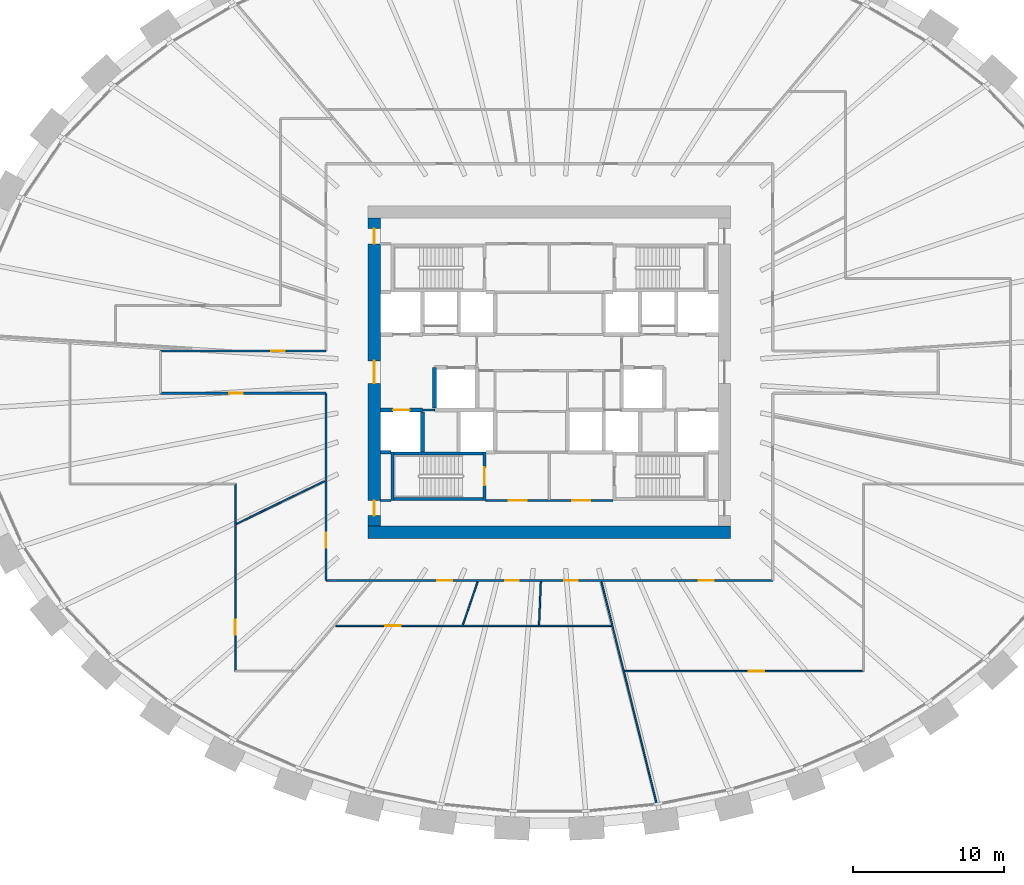
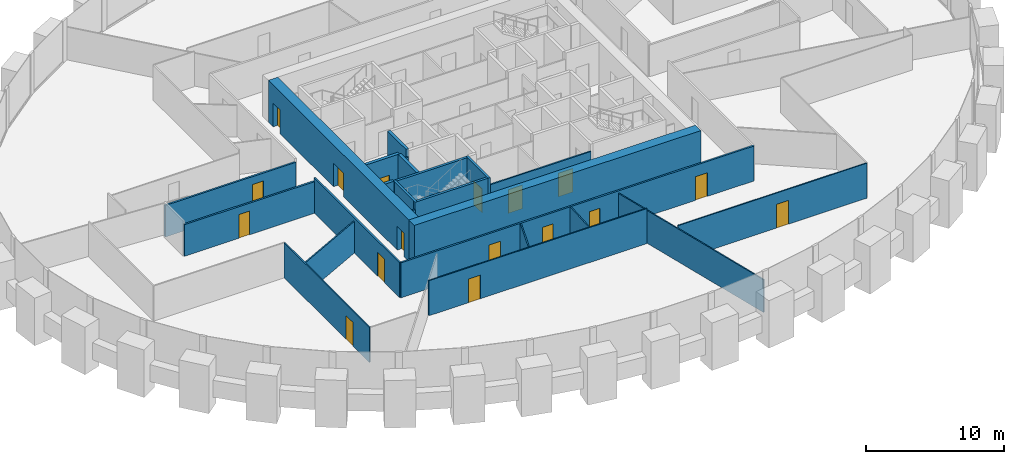
# One storey, part 6 of 11: 24 walls, 17 doors, 17 openings.
"""IFC4 building model written with IfcOpenShell, lengths in metres."""

from ifc_helpers import new_model, si_unit, direction, frame, frame_2d, origin, place, context, subcontext, project, spatial, rectangle, extrude, source, transform, mapped, material, layer, layer_set, type_object, element, fill, save


model = new_model("IFC4")

# Units and contexts
model_context = context("Model", 3, precision=1e-05, world=origin(), true_north=direction((0.0, 1.0)))
body_context = subcontext(model_context, "Body", "Model", "MODEL_VIEW")
ifc_project = project(units=[si_unit("LENGTHUNIT", "METRE"), si_unit("AREAUNIT", "SQUARE_METRE"), si_unit("VOLUMEUNIT", "CUBIC_METRE"), si_unit("PLANEANGLEUNIT", "RADIAN"), si_unit("MASSUNIT", "GRAM", prefix="KILO")], contexts=[model_context])

# Site, building, storey
site_placement = place(None, origin())
site = spatial("IfcSite", under=ifc_project, at=site_placement, CompositionType="ELEMENT")
building_placement = place(site_placement, origin())
building = spatial("IfcBuilding", under=site, at=building_placement, Name="Embergate Tower", CompositionType="ELEMENT")
storey_placement = place(building_placement, frame((0.0, 0.0, 132.0)))
storey = spatial("IfcBuildingStorey", under=building, at=storey_placement, Name="L28", CompositionType="ELEMENT", Elevation=132.0)

# Wall
ifc_material_1 = material(Name="Concrete C70", Category="concrete")
ifc_layer_1 = layer(ifc_material_1, 0.800048828125)
ifc_layer_set_1 = layer_set([ifc_layer_1], Name="Concrete C70")
wall_type_1 = type_object("IfcWallType", Name="Core outer wall C70 800", PredefinedType="SHEAR", material=ifc_layer_set_1)
shared_shape_1 = source(origin(), body_context, "Body", "SweptSolid", [
    extrude(rectangle(XDim=24.0, YDim=0.800048828125, at=frame_2d((12.0, 0.0))), origin(), (0.0, 0.0, 1.0), 3.699951171875),
])
wall_1_placement = place(storey_placement, frame((-12.0, -10.60009765625, 0.0), z_axis=(0.0, 0.0, 1.0), x_axis=(1.0, 0.0, 0.0)))
element("IfcWall", 1, at=wall_1_placement, inside=storey, type_object=wall_type_1, Name="CW-L28-S", PredefinedType="SHEAR", context=body_context, shape_type="MappedRepresentation", body=[
    mapped(shared_shape_1, transform((0.0, 0.0, 0.0))),
])

# Wall, openings, doors
shared_shape_2 = source(origin(), body_context, "Body", "SweptSolid", [
    extrude(rectangle(XDim=20.39990234375, YDim=0.800048828125, at=frame_2d((10.199951171875, 0.0))), origin(), (0.0, 0.0, 1.0), 3.699951171875),
])
wall_2_placement = place(storey_placement, frame((-11.60009765625, -10.199951171875, 0.0), z_axis=(0.0, 0.0, 1.0), x_axis=(0.0, 1.0, 0.0)))
wall_2 = element("IfcWall", 2, at=wall_2_placement, inside=storey, type_object=wall_type_1, Name="CW-L28-W", PredefinedType="SHEAR", context=body_context, shape_type="MappedRepresentation", body=[
    mapped(shared_shape_2, transform((0.0, 0.0, 0.0))),
])
shared_shape_3 = source(origin(), body_context, "Body", "SweptSolid", [
    extrude(rectangle(XDim=1.0, YDim=2.10009765625, at=frame_2d((0.5, 1.050048828125))), frame((0.0, 0.409912109375, 0.0), z_axis=(0.0, -1.0, 0.0), x_axis=(1.0, 0.0, 0.0)), (0.0, 0.0, 1.0), 0.820068359375),
])
opening_1_placement = place(wall_2_placement, frame((18.699951171875, 0.0, 0.0)))
opening_1 = element("IfcOpeningElement", 3, at=opening_1_placement, cuts=wall_2, Name="Opening IF-1d", PredefinedType="OPENING", context=body_context, shape_type="MappedRepresentation", body=[
    mapped(shared_shape_3, transform((0.0, 0.0, 0.0))),
])
opening_2_placement = place(wall_2_placement, frame((0.699951171875, 0.0, 0.0)))
opening_2 = element("IfcOpeningElement", 4, at=opening_2_placement, cuts=wall_2, Name="Opening IF-1d", PredefinedType="OPENING", context=body_context, shape_type="MappedRepresentation", body=[
    mapped(shared_shape_3, transform((0.0, 0.0, 0.0))),
])
shared_shape_4 = source(origin(), body_context, "Body", "SweptSolid", [
    extrude(rectangle(XDim=1.5, YDim=2.10009765625, at=frame_2d((0.75, 1.050048828125))), frame((0.0, 0.409912109375, 0.0), z_axis=(0.0, -1.0, 0.0), x_axis=(1.0, 0.0, 0.0)), (0.0, 0.0, 1.0), 0.820068359375),
])
opening_3_placement = place(wall_2_placement, frame((9.449951171875, 0.0, 0.0)))
opening_3 = element("IfcOpeningElement", 5, at=opening_3_placement, cuts=wall_2, Name="Opening IF-3", PredefinedType="OPENING", context=body_context, shape_type="MappedRepresentation", body=[
    mapped(shared_shape_4, transform((0.0, 0.0, 0.0))),
])
ifc_material_2 = material(Name="Lobby fire door pair 1500")
door_type_1 = type_object("IfcDoorType", Name="Lobby fire door pair 1500", OperationType="DOUBLE_DOOR_SINGLE_SWING", PredefinedType="DOOR", material=ifc_material_2)
shared_shape_5 = source(origin(), body_context, "Body", "SweptSolid", [
    extrude(rectangle(XDim=1.5, YDim=2.10009765625, at=frame_2d((0.75, 1.050048828125))), frame((0.0, 0.02490234375, 0.0), z_axis=(0.0, -1.0, 0.0), x_axis=(1.0, 0.0, 0.0)), (0.0, 0.0, 1.0), 0.050048828125),
])
door_1_placement = place(opening_3_placement, origin())
door_1 = element("IfcDoor", 6, at=door_1_placement, inside=storey, type_object=door_type_1, Name="IF-3 door", OperationType="DOUBLE_DOOR_SINGLE_SWING", OverallHeight=2.10009765625, OverallWidth=1.5, PredefinedType="DOOR", context=body_context, shape_type="MappedRepresentation", body=[
    mapped(shared_shape_5, transform((0.0, 0.0, 0.0))),
])
fill(opening_3, door_1)
ifc_material_3 = material(Name="Escape fire door 1000")
door_type_2 = type_object("IfcDoorType", Name="Escape fire door 1000", OperationType="SINGLE_SWING_LEFT", PredefinedType="DOOR", material=ifc_material_3)
shared_shape_6 = source(origin(), body_context, "Body", "SweptSolid", [
    extrude(rectangle(XDim=1.0, YDim=2.10009765625, at=frame_2d((0.5, 1.050048828125))), frame((0.0, 0.02490234375, 0.0), z_axis=(0.0, -1.0, 0.0), x_axis=(1.0, 0.0, 0.0)), (0.0, 0.0, 1.0), 0.050048828125),
])
door_2_placement = place(opening_1_placement, origin())
door_2 = element("IfcDoor", 7, at=door_2_placement, inside=storey, type_object=door_type_2, Name="IF-1 door", OperationType="SINGLE_SWING_RIGHT", OverallHeight=2.10009765625, OverallWidth=1.0, PredefinedType="DOOR", context=body_context, shape_type="MappedRepresentation", body=[
    mapped(shared_shape_6, transform((0.0, 0.0, 0.0))),
])
fill(opening_1, door_2)
door_3_placement = place(opening_2_placement, origin())
door_3 = element("IfcDoor", 8, at=door_3_placement, inside=storey, type_object=door_type_2, Name="IF-1 door", OperationType="SINGLE_SWING_LEFT", OverallHeight=2.10009765625, OverallWidth=1.0, PredefinedType="DOOR", context=body_context, shape_type="MappedRepresentation", body=[
    mapped(shared_shape_6, transform((0.0, 0.0, 0.0))),
])
fill(opening_2, door_3)

# Walls
ifc_material_4 = material(Name="Concrete C50", Category="concrete")
ifc_layer_2 = layer(ifc_material_4, 0.25)
ifc_layer_set_2 = layer_set([ifc_layer_2], Name="Concrete C50")
wall_type_2 = type_object("IfcWallType", Name="Hoistway wall reinforced concrete 250", PredefinedType="SHEAR", material=ifc_layer_set_2)
shared_shape_7 = source(origin(), body_context, "Body", "SweptSolid", [
    extrude(rectangle(XDim=2.675048828125, YDim=0.25, at=frame_2d((1.33740234375, 0.0))), origin(), (0.0, 0.0, 1.0), 3.699951171875),
])
wall_3_placement = place(storey_placement, frame((-7.60009765625, 0.300048828125, 0.0), z_axis=(0.0, 0.0, 1.0), x_axis=(0.0, -1.0, 0.0)))
element("IfcWall", 9, at=wall_3_placement, inside=storey, type_object=wall_type_2, Name="HW-1 wall", PredefinedType="SHEAR", context=body_context, shape_type="MappedRepresentation", body=[
    mapped(shared_shape_7, transform((0.0, 0.0, 0.0))),
])
ifc_layer_3 = layer(ifc_material_4, 0.199951171875)
ifc_layer_set_3 = layer_set([ifc_layer_3], Name="Concrete C50")
wall_type_3 = type_object("IfcWallType", Name="Stair enclosure wall reinforced concrete 250", PredefinedType="SHEAR", material=ifc_layer_set_3)
shared_shape_8 = source(origin(), body_context, "Body", "SweptSolid", [
    extrude(rectangle(XDim=6.300048828125, YDim=0.199951171875, at=frame_2d((3.14990234375, 0.0))), origin(), (0.0, 0.0, 1.0), 3.699951171875),
])
for number, where, z_axis, x_axis, name in (
    (10, (-10.5, -5.39990234375, 0.0), (0.0, 0.0, 1.0), (1.0, 0.0, 0.0), "SE-1 wall"),
    (11, (-10.5, -8.39990234375, 0.0), (0.0, 0.0, 1.0), (1.0, 0.0, 0.0), "SE-1 wall"),
):
    element("IfcWall", number, at=place(storey_placement, frame(where, z_axis=z_axis, x_axis=x_axis)), inside=storey, type_object=wall_type_3, Name=name, PredefinedType="SHEAR", context=body_context, shape_type="MappedRepresentation", body=[
        mapped(shared_shape_8, transform((0.0, 0.0, 0.0))),
    ])

# Wall, opening, door
shared_shape_9 = source(origin(), body_context, "Body", "SweptSolid", [
    extrude(rectangle(XDim=3.199951171875, YDim=0.199951171875, at=frame_2d((1.60009765625, 0.0))), origin(), (0.0, 0.0, 1.0), 3.699951171875),
])
wall_4_placement = place(storey_placement, frame((-4.300048828125, -8.5, 0.0), z_axis=(0.0, 0.0, 1.0), x_axis=(0.0, 1.0, 0.0)))
wall_4 = element("IfcWall", 12, at=wall_4_placement, inside=storey, type_object=wall_type_3, Name="SE-1 wall", PredefinedType="SHEAR", context=body_context, shape_type="MappedRepresentation", body=[
    mapped(shared_shape_9, transform((0.0, 0.0, 0.0))),
])
shared_shape_10 = source(origin(), body_context, "Body", "SweptSolid", [
    extrude(rectangle(XDim=1.199951171875, YDim=2.10009765625, at=frame_2d((0.60009765625, 1.050048828125))), frame((0.0, 0.10986328125, 0.0), z_axis=(0.0, -1.0, 0.0), x_axis=(1.0, 0.0, 0.0)), (0.0, 0.0, 1.0), 0.219970703125),
])
opening_4_placement = place(wall_4_placement, frame((1.0, 0.0, 0.0)))
opening_4 = element("IfcOpeningElement", 13, at=opening_4_placement, cuts=wall_4, Name="Opening IF-2", PredefinedType="OPENING", context=body_context, shape_type="MappedRepresentation", body=[
    mapped(shared_shape_10, transform((0.0, 0.0, 0.0))),
])
ifc_material_5 = material(Name="Stair enclosure door 1200")
door_type_3 = type_object("IfcDoorType", Name="Stair enclosure door 1200", OperationType="SINGLE_SWING_LEFT", PredefinedType="DOOR", material=ifc_material_5)
shared_shape_11 = source(origin(), body_context, "Body", "SweptSolid", [
    extrude(rectangle(XDim=1.199951171875, YDim=2.10009765625, at=frame_2d((0.60009765625, 1.050048828125))), frame((0.0, 0.02490234375, 0.0), z_axis=(0.0, -1.0, 0.0), x_axis=(1.0, 0.0, 0.0)), (0.0, 0.0, 1.0), 0.050048828125),
])
door_4_placement = place(opening_4_placement, origin())
door_4 = element("IfcDoor", 14, at=door_4_placement, inside=storey, type_object=door_type_3, Name="IF-2 door", OperationType="SINGLE_SWING_LEFT", OverallHeight=2.10009765625, OverallWidth=1.199951171875, PredefinedType="DOOR", context=body_context, shape_type="MappedRepresentation", body=[
    mapped(shared_shape_11, transform((0.0, 0.0, 0.0))),
])
fill(opening_4, door_4)

# Wall, openings, doors
ifc_material_6 = material(Name="Core partition blockwork 120")
ifc_layer_4 = layer(ifc_material_6, 0.1201171875)
ifc_layer_set_4 = layer_set([ifc_layer_4], Name="Core partition blockwork 120")
wall_type_4 = type_object("IfcWallType", Name="Core partition blockwork 120", PredefinedType="PARTITIONING", material=ifc_layer_set_4)
shared_shape_12 = source(origin(), body_context, "Body", "SweptSolid", [
    extrude(rectangle(XDim=8.39990234375, YDim=0.1201171875, at=frame_2d((4.199951171875, 0.0))), origin(), (0.0, 0.0, 1.0), 3.10009765625),
])
wall_5_placement = place(storey_placement, frame((-4.199951171875, -8.5, 0.0), z_axis=(0.0, 0.0, 1.0), x_axis=(1.0, 0.0, 0.0)))
wall_5 = element("IfcWall", 15, at=wall_5_placement, inside=storey, type_object=wall_type_4, Name="IP-3 wall", PredefinedType="PARTITIONING", context=body_context, shape_type="MappedRepresentation", body=[
    mapped(shared_shape_12, transform((0.0, 0.0, 0.0))),
])
shared_shape_13 = source(origin(), body_context, "Body", "SweptSolid", [
    extrude(rectangle(XDim=1.199951171875, YDim=2.10009765625, at=frame_2d((0.60009765625, 1.050048828125))), frame((0.0, 0.070068359375, 0.0), z_axis=(0.0, -1.0, 0.0), x_axis=(1.0, 0.0, 0.0)), (0.0, 0.0, 1.0), 0.14013671875),
])
opening_5_placement = place(wall_5_placement, frame((1.5, 0.0, 0.0)))
opening_5 = element("IfcOpeningElement", 16, at=opening_5_placement, cuts=wall_5, Name="Opening IF-3f", PredefinedType="OPENING", context=body_context, shape_type="MappedRepresentation", body=[
    mapped(shared_shape_13, transform((0.0, 0.0, 0.0))),
])
opening_6_placement = place(wall_5_placement, frame((5.699951171875, 0.0, 0.0)))
opening_6 = element("IfcOpeningElement", 17, at=opening_6_placement, cuts=wall_5, Name="Opening IF-3f", PredefinedType="OPENING", context=body_context, shape_type="MappedRepresentation", body=[
    mapped(shared_shape_13, transform((0.0, 0.0, 0.0))),
])
ifc_material_7 = material(Name="Lobby fire door pair 1200")
door_type_4 = type_object("IfcDoorType", Name="Lobby fire door pair 1200", OperationType="DOUBLE_DOOR_SINGLE_SWING", PredefinedType="DOOR", material=ifc_material_7)
door_5_placement = place(opening_5_placement, origin())
door_5 = element("IfcDoor", 18, at=door_5_placement, inside=storey, type_object=door_type_4, Name="IF-3 door", OperationType="DOUBLE_DOOR_SINGLE_SWING", OverallHeight=2.10009765625, OverallWidth=1.199951171875, PredefinedType="DOOR", context=body_context, shape_type="MappedRepresentation", body=[
    mapped(shared_shape_11, transform((0.0, 0.0, 0.0))),
])
fill(opening_5, door_5)
door_6_placement = place(opening_6_placement, origin())
door_6 = element("IfcDoor", 19, at=door_6_placement, inside=storey, type_object=door_type_4, Name="IF-3 door", OperationType="DOUBLE_DOOR_SINGLE_SWING", OverallHeight=2.10009765625, OverallWidth=1.199951171875, PredefinedType="DOOR", context=body_context, shape_type="MappedRepresentation", body=[
    mapped(shared_shape_11, transform((0.0, 0.0, 0.0))),
])
fill(opening_6, door_6)

ifc_material_8 = material(Name="Corridor wall dry-lined 150")
ifc_layer_5 = layer(ifc_material_8, 0.14990234375)
ifc_layer_set_5 = layer_set([ifc_layer_5], Name="Corridor wall dry-lined 150")
wall_type_5 = type_object("IfcWallType", Name="Corridor wall dry-lined 150", PredefinedType="PARTITIONING", material=ifc_layer_set_5)
shared_shape_14 = source(origin(), body_context, "Body", "SweptSolid", [
    extrude(rectangle(XDim=29.60009765625, YDim=0.14990234375, at=frame_2d((14.800048828125, 0.0))), origin(), (0.0, 0.0, 1.0), 3.10009765625),
])
wall_6_placement = place(storey_placement, frame((14.800048828125, -13.800048828125, 0.0), z_axis=(0.0, 0.0, 1.0), x_axis=(-1.0, 0.0, 0.0)))
wall_6 = element("IfcWall", 20, at=wall_6_placement, inside=storey, type_object=wall_type_5, Name="IP-2 wall", PredefinedType="PARTITIONING", context=body_context, shape_type="MappedRepresentation", body=[
    mapped(shared_shape_14, transform((0.0, 0.0, 0.0))),
])
shared_shape_15 = source(origin(), body_context, "Body", "SweptSolid", [
    extrude(rectangle(XDim=1.0, YDim=2.10009765625, at=frame_2d((0.5, 1.050048828125))), frame((0.0, 0.0849609375, 0.0), z_axis=(0.0, -1.0, 0.0), x_axis=(1.0, 0.0, 0.0)), (0.0, 0.0, 1.0), 0.169921875),
])
opening_7_placement = place(wall_6_placement, frame((21.22900390625, 0.0, 0.0)))
opening_7 = element("IfcOpeningElement", 21, at=opening_7_placement, cuts=wall_6, Name="Opening ID-2", PredefinedType="OPENING", context=body_context, shape_type="MappedRepresentation", body=[
    mapped(shared_shape_15, transform((0.0, 0.0, 0.0))),
])
shared_shape_16 = source(origin(), body_context, "Body", "SweptSolid", [
    extrude(rectangle(XDim=0.89990234375, YDim=2.10009765625, at=frame_2d((0.449951171875, 1.050048828125))), frame((0.0, 0.0849609375, 0.0), z_axis=(0.0, -1.0, 0.0), x_axis=(1.0, 0.0, 0.0)), (0.0, 0.0, 1.0), 0.169921875),
])
opening_8_placement = place(wall_6_placement, frame((16.8349609375, 0.0, 0.0)))
opening_8 = element("IfcOpeningElement", 22, at=opening_8_placement, cuts=wall_6, Name="Opening IF-1c", PredefinedType="OPENING", context=body_context, shape_type="MappedRepresentation", body=[
    mapped(shared_shape_16, transform((0.0, 0.0, 0.0))),
])
opening_9_placement = place(wall_6_placement, frame((12.9169921875, 0.0, 0.0)))
opening_9 = element("IfcOpeningElement", 23, at=opening_9_placement, cuts=wall_6, Name="Opening IF-1c", PredefinedType="OPENING", context=body_context, shape_type="MappedRepresentation", body=[
    mapped(shared_shape_16, transform((0.0, 0.0, 0.0))),
])
opening_10_placement = place(wall_6_placement, frame((3.9150390625, 0.0, 0.0)))
opening_10 = element("IfcOpeningElement", 24, at=opening_10_placement, cuts=wall_6, Name="Opening ID-2", PredefinedType="OPENING", context=body_context, shape_type="MappedRepresentation", body=[
    mapped(shared_shape_15, transform((0.0, 0.0, 0.0))),
])
ifc_material_9 = material(Name="Escape fire door 900")
door_type_5 = type_object("IfcDoorType", Name="Escape fire door 900", OperationType="SINGLE_SWING_LEFT", PredefinedType="DOOR", material=ifc_material_9)
shared_shape_17 = source(origin(), body_context, "Body", "SweptSolid", [
    extrude(rectangle(XDim=0.89990234375, YDim=2.10009765625, at=frame_2d((0.449951171875, 1.050048828125))), frame((0.0, 0.02490234375, 0.0), z_axis=(0.0, -1.0, 0.0), x_axis=(1.0, 0.0, 0.0)), (0.0, 0.0, 1.0), 0.050048828125),
])
door_7_placement = place(opening_8_placement, origin())
door_7 = element("IfcDoor", 25, at=door_7_placement, inside=storey, type_object=door_type_5, Name="IF-1 door", OperationType="SINGLE_SWING_LEFT", OverallHeight=2.10009765625, OverallWidth=0.89990234375, PredefinedType="DOOR", context=body_context, shape_type="MappedRepresentation", body=[
    mapped(shared_shape_17, transform((0.0, 0.0, 0.0))),
])
fill(opening_8, door_7)
door_8_placement = place(opening_9_placement, origin())
door_8 = element("IfcDoor", 26, at=door_8_placement, inside=storey, type_object=door_type_5, Name="IF-1 door", OperationType="SINGLE_SWING_RIGHT", OverallHeight=2.10009765625, OverallWidth=0.89990234375, PredefinedType="DOOR", context=body_context, shape_type="MappedRepresentation", body=[
    mapped(shared_shape_17, transform((0.0, 0.0, 0.0))),
])
fill(opening_9, door_8)
ifc_material_10 = material(Name="Interior door 1000")
door_type_6 = type_object("IfcDoorType", Name="Interior door 1000", OperationType="SINGLE_SWING_LEFT", PredefinedType="DOOR", material=ifc_material_10)
door_9_placement = place(opening_7_placement, origin())
door_9 = element("IfcDoor", 27, at=door_9_placement, inside=storey, type_object=door_type_6, Name="ID-2 door", OperationType="SINGLE_SWING_LEFT", OverallHeight=2.10009765625, OverallWidth=1.0, PredefinedType="DOOR", context=body_context, shape_type="MappedRepresentation", body=[
    mapped(shared_shape_6, transform((0.0, 0.0, 0.0))),
])
fill(opening_7, door_9)
door_10_placement = place(opening_10_placement, origin())
door_10 = element("IfcDoor", 28, at=door_10_placement, inside=storey, type_object=door_type_6, Name="ID-2 door", OperationType="SINGLE_SWING_LEFT", OverallHeight=2.10009765625, OverallWidth=1.0, PredefinedType="DOOR", context=body_context, shape_type="MappedRepresentation", body=[
    mapped(shared_shape_6, transform((0.0, 0.0, 0.0))),
])
fill(opening_10, door_10)

# Wall, opening, door
shared_shape_18 = source(origin(), body_context, "Body", "SweptSolid", [
    extrude(rectangle(XDim=12.400146484375, YDim=0.14990234375, at=frame_2d((6.2001953125, 0.0))), origin(), (0.0, 0.0, 1.0), 3.10009765625),
])
wall_7_placement = place(storey_placement, frame((-14.800048828125, -1.39990234375, 0.0), z_axis=(0.0, 0.0, 1.0), x_axis=(0.0, -1.0, 0.0)))
wall_7 = element("IfcWall", 29, at=wall_7_placement, inside=storey, type_object=wall_type_5, Name="IP-2 wall", PredefinedType="PARTITIONING", context=body_context, shape_type="MappedRepresentation", body=[
    mapped(shared_shape_18, transform((0.0, 0.0, 0.0))),
])
opening_11_placement = place(wall_7_placement, frame((9.240966796875, 0.0, 0.0)))
opening_11 = element("IfcOpeningElement", 30, at=opening_11_placement, cuts=wall_7, Name="Opening ID-2", PredefinedType="OPENING", context=body_context, shape_type="MappedRepresentation", body=[
    mapped(shared_shape_15, transform((0.0, 0.0, 0.0))),
])
door_11_placement = place(opening_11_placement, origin())
door_11 = element("IfcDoor", 31, at=door_11_placement, inside=storey, type_object=door_type_6, Name="ID-2 door", OperationType="SINGLE_SWING_LEFT", OverallHeight=2.10009765625, OverallWidth=1.0, PredefinedType="DOOR", context=body_context, shape_type="MappedRepresentation", body=[
    mapped(shared_shape_6, transform((0.0, 0.0, 0.0))),
])
fill(opening_11, door_11)

ifc_material_11 = material(Name="Corridor wall dry-lined 150 wet")
ifc_layer_6 = layer(ifc_material_11, 0.14990234375)
ifc_layer_set_6 = layer_set([ifc_layer_6], Name="Corridor wall dry-lined 150 wet")
wall_type_6 = type_object("IfcWallType", Name="Corridor wall dry-lined 150 wet", PredefinedType="PLUMBINGWALL", material=ifc_layer_set_6)
shared_shape_19 = source(origin(), body_context, "Body", "SweptSolid", [
    extrude(rectangle(XDim=10.949951171875, YDim=0.14990234375, at=frame_2d((5.47509765625, 0.0))), origin(), (0.0, 0.0, 1.0), 2.800048828125),
])
wall_8_placement = place(storey_placement, frame((-14.800048828125, 1.39990234375, 0.0), z_axis=(0.0, 0.0, 1.0), x_axis=(-1.0, 0.0, 0.0)))
wall_8 = element("IfcWall", 32, at=wall_8_placement, inside=storey, type_object=wall_type_6, Name="IP-2 wall", PredefinedType="PLUMBINGWALL", context=body_context, shape_type="MappedRepresentation", body=[
    mapped(shared_shape_19, transform((0.0, 0.0, 0.0))),
])
opening_12_placement = place(wall_8_placement, frame((2.72607421875, 0.0, 0.0)))
opening_12 = element("IfcOpeningElement", 33, at=opening_12_placement, cuts=wall_8, Name="Opening IF-1c", PredefinedType="OPENING", context=body_context, shape_type="MappedRepresentation", body=[
    mapped(shared_shape_16, transform((0.0, 0.0, 0.0))),
])
door_12_placement = place(opening_12_placement, origin())
door_12 = element("IfcDoor", 34, at=door_12_placement, inside=storey, type_object=door_type_5, Name="IF-1 door", OperationType="SINGLE_SWING_RIGHT", OverallHeight=2.10009765625, OverallWidth=0.89990234375, PredefinedType="DOOR", context=body_context, shape_type="MappedRepresentation", body=[
    mapped(shared_shape_17, transform((0.0, 0.0, 0.0))),
])
fill(opening_12, door_12)

wall_9_placement = place(storey_placement, frame((-25.75, -1.39990234375, 0.0), z_axis=(0.0, 0.0, 1.0), x_axis=(1.0, 0.0, 0.0)))
wall_9 = element("IfcWall", 35, at=wall_9_placement, inside=storey, type_object=wall_type_5, Name="IP-2 wall", PredefinedType="PARTITIONING", context=body_context, shape_type="MappedRepresentation", body=[
    mapped(shared_shape_19, transform((0.0, 0.0, 0.0))),
])
opening_13_placement = place(wall_9_placement, frame((4.552001953125, 0.0, 0.0)))
opening_13 = element("IfcOpeningElement", 36, at=opening_13_placement, cuts=wall_9, Name="Opening IF-1c", PredefinedType="OPENING", context=body_context, shape_type="MappedRepresentation", body=[
    mapped(shared_shape_16, transform((0.0, 0.0, 0.0))),
])
door_13_placement = place(opening_13_placement, origin())
door_13 = element("IfcDoor", 37, at=door_13_placement, inside=storey, type_object=door_type_5, Name="IF-1 door", OperationType="SINGLE_SWING_LEFT", OverallHeight=2.10009765625, OverallWidth=0.89990234375, PredefinedType="DOOR", context=body_context, shape_type="MappedRepresentation", body=[
    mapped(shared_shape_17, transform((0.0, 0.0, 0.0))),
])
fill(opening_13, door_13)

# Wall
ifc_material_12 = material(Name="Partition dry-lined 100")
ifc_layer_7 = layer(ifc_material_12, 0.10009765625)
ifc_layer_set_7 = layer_set([ifc_layer_7], Name="Partition dry-lined 100")
wall_type_7 = type_object("IfcWallType", Name="Partition dry-lined 100", PredefinedType="PARTITIONING", material=ifc_layer_set_7)
shared_shape_20 = source(origin(), body_context, "Body", "SweptSolid", [
    extrude(rectangle(XDim=3.0048828125, YDim=0.10009765625, at=frame_2d((1.50244140625, 0.0))), origin(), (0.0, 0.0, 1.0), 3.10009765625),
])
wall_10_placement = place(storey_placement, frame((-4.757080078125, -13.89111328125, 0.0), z_axis=(0.0, 0.0, 1.0), x_axis=(-0.324089597584, -0.946026391142, 0.0)))
element("IfcWall", 38, at=wall_10_placement, inside=storey, type_object=wall_type_7, Name="IP-1 wall", PredefinedType="PARTITIONING", context=body_context, shape_type="MappedRepresentation", body=[
    mapped(shared_shape_20, transform((0.0, 0.0, 0.0))),
])

# Wall, opening, door
shared_shape_21 = source(origin(), body_context, "Body", "SweptSolid", [
    extrude(rectangle(XDim=18.274169921875, YDim=0.10009765625, at=frame_2d((9.13720703125, 0.0))), origin(), (0.0, 0.0, 1.0), 3.10009765625),
])
wall_11_placement = place(storey_placement, frame((4.111083984375, -16.800048828125, 0.0), z_axis=(0.0, 0.0, 1.0), x_axis=(-1.0, 0.0, 0.0)))
wall_11 = element("IfcWall", 39, at=wall_11_placement, inside=storey, type_object=wall_type_7, Name="IP-1 wall", PredefinedType="PARTITIONING", context=body_context, shape_type="MappedRepresentation", body=[
    mapped(shared_shape_21, transform((0.0, 0.0, 0.0))),
])
shared_shape_22 = source(origin(), body_context, "Body", "SweptSolid", [
    extrude(rectangle(XDim=1.0, YDim=2.10009765625, at=frame_2d((0.5, 1.050048828125))), frame((0.0, 0.06005859375, 0.0), z_axis=(0.0, -1.0, 0.0), x_axis=(1.0, 0.0, 0.0)), (0.0, 0.0, 1.0), 0.1201171875),
])
opening_14_placement = place(wall_11_placement, frame((13.96875, 0.0, 0.0)))
opening_14 = element("IfcOpeningElement", 40, at=opening_14_placement, cuts=wall_11, Name="Opening ID-2", PredefinedType="OPENING", context=body_context, shape_type="MappedRepresentation", body=[
    mapped(shared_shape_22, transform((0.0, 0.0, 0.0))),
])
door_14_placement = place(opening_14_placement, origin())
door_14 = element("IfcDoor", 41, at=door_14_placement, inside=storey, type_object=door_type_6, Name="ID-2 door", OperationType="SINGLE_SWING_RIGHT", OverallHeight=2.10009765625, OverallWidth=1.0, PredefinedType="DOOR", context=body_context, shape_type="MappedRepresentation", body=[
    mapped(shared_shape_6, transform((0.0, 0.0, 0.0))),
])
fill(opening_14, door_14)

# Walls
shared_shape_23 = source(origin(), body_context, "Body", "SweptSolid", [
    extrude(rectangle(XDim=2.87744140625, YDim=0.10009765625, at=frame_2d((1.438720703125, 0.0))), origin(), (0.0, 0.0, 1.0), 3.10009765625),
])
wall_12_placement = place(storey_placement, frame((-0.56591796875, -13.875, 0.0), z_axis=(0.0, 0.0, 1.0), x_axis=(-0.040727050658, -0.999170309479, 0.0)))
element("IfcWall", 42, at=wall_12_placement, inside=storey, type_object=wall_type_7, Name="IP-1 wall", PredefinedType="PARTITIONING", context=body_context, shape_type="MappedRepresentation", body=[
    mapped(shared_shape_23, transform((0.0, 0.0, 0.0))),
])
shared_shape_24 = source(origin(), body_context, "Body", "SweptSolid", [
    extrude(rectangle(XDim=15.15625, YDim=0.10009765625, at=frame_2d((7.578125, 0.0))), origin(), (0.0, 0.0, 1.0), 2.89990234375),
])
wall_13_placement = place(storey_placement, frame((7.10595703125, -28.595947265625, 0.0), z_axis=(0.0, 0.0, 1.0), x_axis=(-0.241155760425, 0.970486424024, 0.0)))
element("IfcWall", 43, at=wall_13_placement, inside=storey, type_object=wall_type_7, Name="IP-1 wall", PredefinedType="PARTITIONING", context=body_context, shape_type="MappedRepresentation", body=[
    mapped(shared_shape_24, transform((0.0, 0.0, 0.0))),
])

# Wall, opening, door
shared_shape_25 = source(origin(), body_context, "Body", "SweptSolid", [
    extrude(rectangle(XDim=15.816162109375, YDim=0.10009765625, at=frame_2d((7.908203125, 0.0))), origin(), (0.0, 0.0, 1.0), 3.10009765625),
])
wall_14_placement = place(storey_placement, frame((4.98388671875, -19.800048828125, 0.0), z_axis=(0.0, 0.0, 1.0), x_axis=(1.0, 0.0, 0.0)))
wall_14 = element("IfcWall", 44, at=wall_14_placement, inside=storey, type_object=wall_type_7, Name="IP-1 wall", PredefinedType="PARTITIONING", context=body_context, shape_type="MappedRepresentation", body=[
    mapped(shared_shape_25, transform((0.0, 0.0, 0.0))),
])
opening_15_placement = place(wall_14_placement, frame((8.23291015625, 0.0, 0.0)))
opening_15 = element("IfcOpeningElement", 45, at=opening_15_placement, cuts=wall_14, Name="Opening ID-2", PredefinedType="OPENING", context=body_context, shape_type="MappedRepresentation", body=[
    mapped(shared_shape_22, transform((0.0, 0.0, 0.0))),
])
door_15_placement = place(opening_15_placement, origin())
door_15 = element("IfcDoor", 46, at=door_15_placement, inside=storey, type_object=door_type_6, Name="ID-2 door", OperationType="SINGLE_SWING_LEFT", OverallHeight=2.10009765625, OverallWidth=1.0, PredefinedType="DOOR", context=body_context, shape_type="MappedRepresentation", body=[
    mapped(shared_shape_6, transform((0.0, 0.0, 0.0))),
])
fill(opening_15, door_15)

shared_shape_26 = source(origin(), body_context, "Body", "SweptSolid", [
    extrude(rectangle(XDim=12.400146484375, YDim=0.10009765625, at=frame_2d((6.2001953125, 0.0))), origin(), (0.0, 0.0, 1.0), 3.10009765625),
])
wall_15_placement = place(storey_placement, frame((-20.800048828125, -19.800048828125, 0.0), z_axis=(0.0, 0.0, 1.0), x_axis=(0.0, 1.0, 0.0)))
wall_15 = element("IfcWall", 47, at=wall_15_placement, inside=storey, type_object=wall_type_7, Name="IP-1 wall", PredefinedType="PARTITIONING", context=body_context, shape_type="MappedRepresentation", body=[
    mapped(shared_shape_26, transform((0.0, 0.0, 0.0))),
])
opening_16_placement = place(wall_15_placement, frame((2.409912109375, 0.0, 0.0)))
opening_16 = element("IfcOpeningElement", 48, at=opening_16_placement, cuts=wall_15, Name="Opening ID-2", PredefinedType="OPENING", context=body_context, shape_type="MappedRepresentation", body=[
    mapped(shared_shape_22, transform((0.0, 0.0, 0.0))),
])
door_16_placement = place(opening_16_placement, origin())
door_16 = element("IfcDoor", 49, at=door_16_placement, inside=storey, type_object=door_type_6, Name="ID-2 door", OperationType="SINGLE_SWING_LEFT", OverallHeight=2.10009765625, OverallWidth=1.0, PredefinedType="DOOR", context=body_context, shape_type="MappedRepresentation", body=[
    mapped(shared_shape_6, transform((0.0, 0.0, 0.0))),
])
fill(opening_16, door_16)

# Wall
shared_shape_27 = source(origin(), body_context, "Body", "SweptSolid", [
    extrude(rectangle(XDim=6.480712890625, YDim=0.10009765625, at=frame_2d((3.240234375, 0.0))), origin(), (0.0, 0.0, 1.0), 2.800048828125),
])
wall_16_placement = place(storey_placement, frame((-14.89697265625, -7.221923828125, 0.0), z_axis=(0.0, 0.0, 1.0), x_axis=(-0.89975673723, -0.436391812262, 0.0)))
element("IfcWall", 50, at=wall_16_placement, inside=storey, type_object=wall_type_7, Name="IP-1 wall", PredefinedType="PARTITIONING", context=body_context, shape_type="MappedRepresentation", body=[
    mapped(shared_shape_27, transform((0.0, 0.0, 0.0))),
])

# Wall, opening, door
shared_shape_28 = source(origin(), body_context, "Body", "SweptSolid", [
    extrude(rectangle(XDim=2.800048828125, YDim=0.25, at=frame_2d((1.39990234375, 0.0))), origin(), (0.0, 0.0, 1.0), 3.699951171875),
])
wall_17_placement = place(storey_placement, frame((-8.39990234375, -2.5, 0.0), z_axis=(0.0, 0.0, 1.0), x_axis=(-1.0, 0.0, 0.0)))
wall_17 = element("IfcWall", 51, at=wall_17_placement, inside=storey, type_object=wall_type_2, Name="HW-1 wall", PredefinedType="SHEAR", context=body_context, shape_type="MappedRepresentation", body=[
    mapped(shared_shape_28, transform((0.0, 0.0, 0.0))),
])
shared_shape_29 = source(origin(), body_context, "Body", "SweptSolid", [
    extrude(rectangle(XDim=1.10009765625, YDim=2.10009765625, at=frame_2d((0.550048828125, 1.050048828125))), frame((0.0, 0.135009765625, 0.0), z_axis=(0.0, -1.0, 0.0), x_axis=(1.0, 0.0, 0.0)), (0.0, 0.0, 1.0), 0.27001953125),
])
opening_17_placement = place(wall_17_placement, frame((0.85009765625, 0.0, 0.0)))
opening_17 = element("IfcOpeningElement", 52, at=opening_17_placement, cuts=wall_17, Name="Opening LD", PredefinedType="OPENING", context=body_context, shape_type="MappedRepresentation", body=[
    mapped(shared_shape_29, transform((0.0, 0.0, 0.0))),
])
ifc_material_13 = material(Name="Landing door sliding 1100")
door_type_7 = type_object("IfcDoorType", Name="Landing door sliding 1100", OperationType="SLIDING_TO_LEFT", PredefinedType="DOOR", material=ifc_material_13)
shared_shape_30 = source(origin(), body_context, "Body", "SweptSolid", [
    extrude(rectangle(XDim=1.10009765625, YDim=2.10009765625, at=frame_2d((0.550048828125, 1.050048828125))), frame((0.0, 0.02490234375, 0.0), z_axis=(0.0, -1.0, 0.0), x_axis=(1.0, 0.0, 0.0)), (0.0, 0.0, 1.0), 0.050048828125),
])
door_17_placement = place(opening_17_placement, origin())
door_17 = element("IfcDoor", 53, at=door_17_placement, inside=storey, type_object=door_type_7, Name="LD door", OperationType="SLIDING_TO_RIGHT", OverallHeight=2.10009765625, OverallWidth=1.10009765625, PredefinedType="DOOR", context=body_context, shape_type="MappedRepresentation", body=[
    mapped(shared_shape_30, transform((0.0, 0.0, 0.0))),
])
fill(opening_17, door_17)

# Walls
shared_shape_31 = source(origin(), body_context, "Body", "SweptSolid", [
    extrude(rectangle(XDim=3.196044921875, YDim=0.199951171875, at=frame_2d((1.59814453125, 0.0))), origin(), (0.0, 0.0, 1.0), 3.699951171875),
])
wall_18_placement = place(storey_placement, frame((-10.39990234375, -5.302001953125, 0.0), z_axis=(0.0, 0.0, 1.0), x_axis=(0.0, -1.0, 0.0)))
element("IfcWall", 54, at=wall_18_placement, inside=storey, type_object=wall_type_3, Name="SE-1 wall", PredefinedType="SHEAR", context=body_context, shape_type="MappedRepresentation", body=[
    mapped(shared_shape_31, transform((0.0, 0.0, 0.0))),
])
shared_shape_32 = source(origin(), body_context, "Body", "SweptSolid", [
    extrude(rectangle(XDim=0.697998046875, YDim=0.25, at=frame_2d((0.34912109375, 0.0))), origin(), (0.0, 0.0, 1.0), 3.699951171875),
])
wall_19_placement = place(storey_placement, frame((-11.199951171875, -5.300048828125, 0.0), z_axis=(0.0, 0.0, 1.0), x_axis=(1.0, 0.0, 0.0)))
element("IfcWall", 55, at=wall_19_placement, inside=storey, type_object=wall_type_2, Name="HW-1 wall", PredefinedType="SHEAR", context=body_context, shape_type="MappedRepresentation", body=[
    mapped(shared_shape_32, transform((0.0, 0.0, 0.0))),
])
shared_shape_33 = source(origin(), body_context, "Body", "SweptSolid", [
    extrude(rectangle(XDim=2.671142578125, YDim=0.25, at=frame_2d((1.33544921875, 0.0))), origin(), (0.0, 0.0, 1.0), 3.699951171875),
])
wall_20_placement = place(storey_placement, frame((-8.39990234375, -5.298095703125, 0.0), z_axis=(0.0, 0.0, 1.0), x_axis=(0.0, 1.0, 0.0)))
element("IfcWall", 56, at=wall_20_placement, inside=storey, type_object=wall_type_2, Name="HW-1 wall", PredefinedType="SHEAR", context=body_context, shape_type="MappedRepresentation", body=[
    mapped(shared_shape_33, transform((0.0, 0.0, 0.0))),
])
shared_shape_34 = source(origin(), body_context, "Body", "SweptSolid", [
    extrude(rectangle(XDim=0.7958984375, YDim=0.1201171875, at=frame_2d((0.39794921875, 0.0))), origin(), (0.0, 0.0, 1.0), 3.10009765625),
])
wall_21_placement = place(storey_placement, frame((-8.39794921875, -2.5, 0.0), z_axis=(0.0, 0.0, 1.0), x_axis=(1.0, 0.0, 0.0)))
element("IfcWall", 57, at=wall_21_placement, inside=storey, type_object=wall_type_4, Name="IP-3 wall", PredefinedType="PARTITIONING", context=body_context, shape_type="MappedRepresentation", body=[
    mapped(shared_shape_34, transform((0.0, 0.0, 0.0))),
])
shared_shape_35 = source(origin(), body_context, "Body", "SweptSolid", [
    extrude(rectangle(XDim=0.697998046875, YDim=0.1201171875, at=frame_2d((0.34912109375, 0.0))), origin(), (0.0, 0.0, 1.0), 3.10009765625),
])
wall_22_placement = place(storey_placement, frame((-10.501953125, -8.5, 0.0), z_axis=(0.0, 0.0, 1.0), x_axis=(-1.0, 0.0, 0.0)))
element("IfcWall", 58, at=wall_22_placement, inside=storey, type_object=wall_type_4, Name="IP-3 wall", PredefinedType="PARTITIONING", context=body_context, shape_type="MappedRepresentation", body=[
    mapped(shared_shape_35, transform((0.0, 0.0, 0.0))),
])

save(model, "model.ifc")
